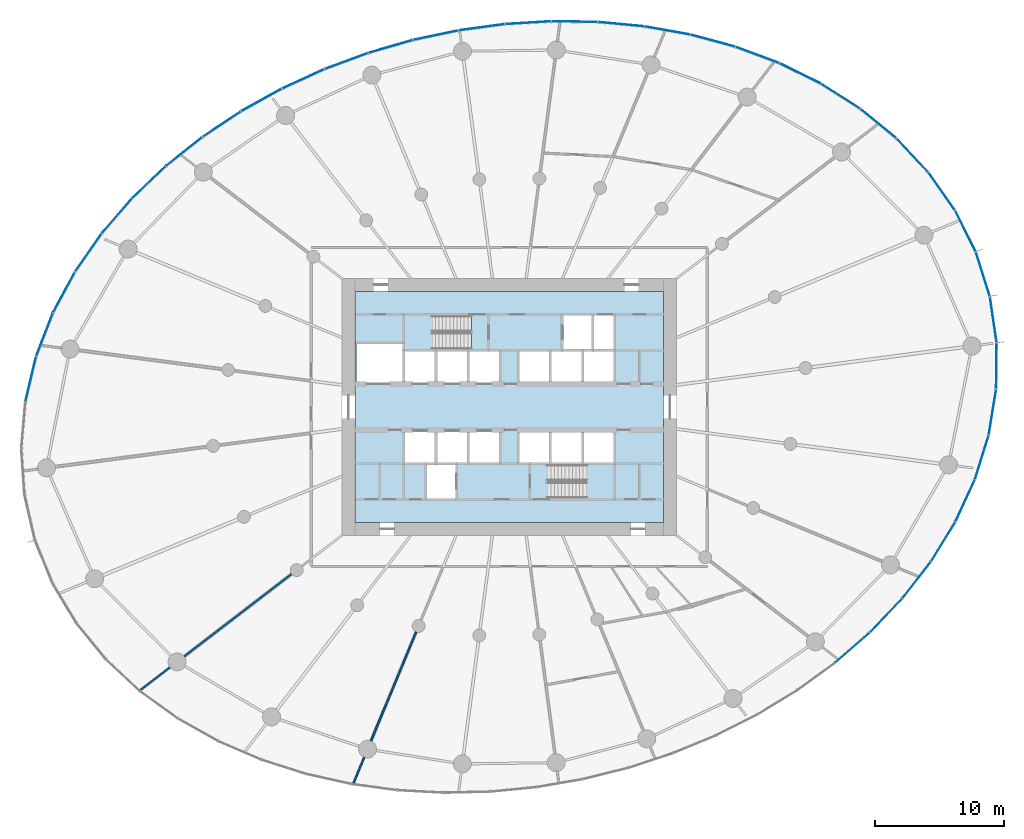
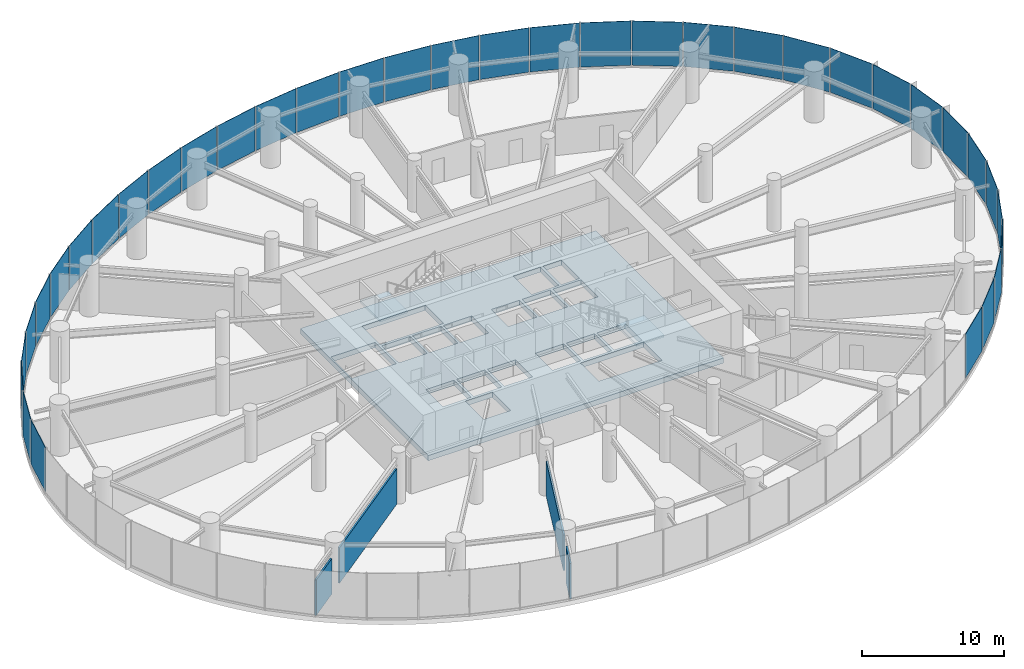
# One storey, part 10 of 18: 36 plates, 4 walls, 3 slabs, 9 elements without a shape of their own.
"""IFC4 building model written with IfcOpenShell, lengths in metres."""

from ifc_helpers import new_model, si_unit, direction, frame, frame_2d, origin, origin_2d, place, context, subcontext, project, spatial, line, indexed_curve, rectangle, outline, extrude, source, transform, mapped, material, layer, layer_set, type_object, element, aggregate, save


model = new_model("IFC4")

# Units and contexts
model_context = context("Model", 3, precision=1e-05, world=origin(), true_north=direction((0.0, 1.0)))
body_context = subcontext(model_context, "Body", "Model", "MODEL_VIEW")
ifc_project = project(units=[si_unit("LENGTHUNIT", "METRE"), si_unit("AREAUNIT", "SQUARE_METRE"), si_unit("VOLUMEUNIT", "CUBIC_METRE"), si_unit("PLANEANGLEUNIT", "RADIAN"), si_unit("MASSUNIT", "GRAM", prefix="KILO")], contexts=[model_context])

# Site, building, storey
site_placement = place(None, origin())
site = spatial("IfcSite", under=ifc_project, at=site_placement, CompositionType="ELEMENT")
building_placement = place(site_placement, origin())
building = spatial("IfcBuilding", under=site, at=building_placement, Name="Spindrift Exchange Tower", CompositionType="ELEMENT")
storey_placement = place(building_placement, frame((0.0, 0.0, 62.199951171875)))
storey = spatial("IfcBuildingStorey", under=building, at=storey_placement, Name="L14", CompositionType="ELEMENT", Elevation=62.199951171875)

# Slab
ifc_material_1 = material(Name="Concrete 50 MPa", Category="concrete")
ifc_layer_1 = layer(ifc_material_1, 0.449951171875)
ifc_layer_set_1 = layer_set([ifc_layer_1], Name="SL-CORE-FLOOR-450")
slab_type_1 = type_object("IfcSlabType", Name="SL-CORE-FLOOR-450", PredefinedType="FLOOR", material=ifc_layer_set_1)
slab_1_placement = place(storey_placement, frame((0.0, 0.0, -0.449951171875)))
element("IfcSlab", 1, at=slab_1_placement, inside=storey, type_object=slab_type_1, Name="L14 Core floor slab", PredefinedType="FLOOR", context=body_context, shape_type="SweptSolid", body=[
    extrude(outline(indexed_curve([(40.0, 39.0), (40.0, 57.0), (64.0, 57.0), (64.0, 39.0)], segments=[line(1, 2, 3, 4, 1)], self_intersect=False), holes=[indexed_curve([(47.800048828125, 43.5), (45.60009765625, 43.5), (45.60009765625, 40.89990234375), (47.800048828125, 40.89990234375)], segments=[line(1, 2, 3, 4, 1)], self_intersect=False), indexed_curve([(46.199951171875, 46.10009765625), (43.89990234375, 46.10009765625), (43.89990234375, 43.699951171875), (46.199951171875, 43.699951171875)], segments=[line(1, 2, 3, 4, 1)], self_intersect=False), indexed_curve([(48.699951171875, 46.10009765625), (46.39990234375, 46.10009765625), (46.39990234375, 43.699951171875), (48.699951171875, 43.699951171875)], segments=[line(1, 2, 3, 4, 1)], self_intersect=False), indexed_curve([(51.199951171875, 46.10009765625), (48.89990234375, 46.10009765625), (48.89990234375, 43.699951171875), (51.199951171875, 43.699951171875)], segments=[line(1, 2, 3, 4, 1)], self_intersect=False), indexed_curve([(46.199951171875, 52.300048828125), (43.89990234375, 52.300048828125), (43.89990234375, 49.89990234375), (46.199951171875, 49.89990234375)], segments=[line(1, 2, 3, 4, 1)], self_intersect=False), indexed_curve([(48.699951171875, 52.300048828125), (46.39990234375, 52.300048828125), (46.39990234375, 49.89990234375), (48.699951171875, 49.89990234375)], segments=[line(1, 2, 3, 4, 1)], self_intersect=False), indexed_curve([(51.199951171875, 52.300048828125), (48.89990234375, 52.300048828125), (48.89990234375, 49.89990234375), (51.199951171875, 49.89990234375)], segments=[line(1, 2, 3, 4, 1)], self_intersect=False), indexed_curve([(43.699951171875, 49.89990234375), (43.699951171875, 52.89990234375), (40.10009765625, 52.89990234375), (40.10009765625, 49.89990234375)], segments=[line(1, 2, 3, 4, 1)], self_intersect=False), indexed_curve([(49.0439453125, 55.093994140625), (43.906005859375, 55.093994140625), (43.906005859375, 52.506103515625), (49.0439453125, 52.506103515625)], segments=[line(1, 2, 3, 4, 1)], self_intersect=False), indexed_curve([(60.093994140625, 40.906005859375), (60.093994140625, 43.493896484375), (54.9560546875, 43.493896484375), (54.9560546875, 40.906005859375)], segments=[line(1, 2, 3, 4, 1)], self_intersect=False), indexed_curve([(55.10009765625, 46.10009765625), (52.800048828125, 46.10009765625), (52.800048828125, 43.699951171875), (55.10009765625, 43.699951171875)], segments=[line(1, 2, 3, 4, 1)], self_intersect=False), indexed_curve([(57.60009765625, 46.10009765625), (55.300048828125, 46.10009765625), (55.300048828125, 43.699951171875), (57.60009765625, 43.699951171875)], segments=[line(1, 2, 3, 4, 1)], self_intersect=False), indexed_curve([(60.10009765625, 46.10009765625), (57.800048828125, 46.10009765625), (57.800048828125, 43.699951171875), (60.10009765625, 43.699951171875)], segments=[line(1, 2, 3, 4, 1)], self_intersect=False), indexed_curve([(55.10009765625, 52.300048828125), (52.800048828125, 52.300048828125), (52.800048828125, 49.89990234375), (55.10009765625, 49.89990234375)], segments=[line(1, 2, 3, 4, 1)], self_intersect=False), indexed_curve([(57.60009765625, 52.300048828125), (55.300048828125, 52.300048828125), (55.300048828125, 49.89990234375), (57.60009765625, 49.89990234375)], segments=[line(1, 2, 3, 4, 1)], self_intersect=False), indexed_curve([(60.10009765625, 52.300048828125), (57.800048828125, 52.300048828125), (57.800048828125, 49.89990234375), (60.10009765625, 49.89990234375)], segments=[line(1, 2, 3, 4, 1)], self_intersect=False), indexed_curve([(58.39990234375, 52.5), (58.39990234375, 55.10009765625), (56.199951171875, 55.10009765625), (56.199951171875, 52.5)], segments=[line(1, 2, 3, 4, 1)], self_intersect=False), indexed_curve([(60.10009765625, 52.5), (60.10009765625, 55.10009765625), (58.60009765625, 55.10009765625), (58.60009765625, 52.5)], segments=[line(1, 2, 3, 4, 1)], self_intersect=False)]), origin(), (0.0, 0.0, 1.0), 0.449951171875),
])

# Stair, slab
stair_type = type_object("IfcStairType", Name="ST-1250-R183", PredefinedType="HALF_TURN_STAIR", material=ifc_material_1)
stair_1_placement = place(storey_placement, origin())
stair_1 = element("IfcStair", 2, at=stair_1_placement, inside=storey, type_object=stair_type, Name="L14 Exit stair ST1", PredefinedType="HALF_TURN_STAIR")
ifc_layer_2 = layer(ifc_material_1, 0.199951171875)
ifc_layer_set_2 = layer_set([ifc_layer_2], Name="SL-LANDING")
slab_type_2 = type_object("IfcSlabType", Name="SL-LANDING", PredefinedType="LANDING", material=ifc_layer_set_2)
slab_2_placement = place(storey_placement, frame((0.0, 0.0, 2.0)))
slab_2 = element("IfcSlab", 3, at=slab_2_placement, type_object=slab_type_2, Name="ST1 landing 1", PredefinedType="LANDING", context=body_context, shape_type="SweptSolid", body=[
    extrude(outline(indexed_curve([(46.050048828125, 52.39990234375), (43.800048828125, 52.39990234375), (43.800048828125, 55.199951171875), (46.050048828125, 55.199951171875)], segments=[line(1, 2, 3, 4, 1)], self_intersect=False)), origin(), (0.0, 0.0, 1.0), 0.199951171875),
])
aggregate(stair_1, [slab_2])

stair_2_placement = place(storey_placement, origin())
stair_2 = element("IfcStair", 4, at=stair_2_placement, inside=storey, type_object=stair_type, Name="L14 Exit stair ST2", PredefinedType="HALF_TURN_STAIR")
slab_3_placement = place(storey_placement, frame((0.0, 0.0, 2.0)))
slab_3 = element("IfcSlab", 5, at=slab_3_placement, type_object=slab_type_2, Name="ST2 landing 1", PredefinedType="LANDING", context=body_context, shape_type="SweptSolid", body=[
    extrude(outline(indexed_curve([(57.949951171875, 43.60009765625), (60.199951171875, 43.60009765625), (60.199951171875, 40.800048828125), (57.949951171875, 40.800048828125)], segments=[line(1, 2, 3, 4, 1)], self_intersect=False)), origin(), (0.0, 0.0, 1.0), 0.199951171875),
])
aggregate(stair_2, [slab_3])

# Curtain wall, plate
ifc_material_2 = material(Name="Fritted laminated glass with bronze frame", Category="glass")
ifc_layer_3 = layer(ifc_material_2, 0.199951171875)
ifc_layer_set_3 = layer_set([ifc_layer_3], Name="ZONE 1 BRONZE FRITTED WALL")
curtain_wall_type = type_object("IfcCurtainWallType", Name="ZONE 1 BRONZE FRITTED WALL", PredefinedType="NOTDEFINED", material=ifc_layer_set_3)
curtain_wall_1_placement = place(storey_placement, origin())
curtain_wall_1 = element("IfcCurtainWall", 6, at=curtain_wall_1_placement, inside=storey, type_object=curtain_wall_type, Name="L14 Zone 1 Bronze Fritted Wall run 1", PredefinedType="NOTDEFINED")
ifc_material_3 = material(Name="Bronze fritted laminated glass, dense frit", Category="glass")
ifc_layer_4 = layer(ifc_material_3, 0.035888671875)
ifc_layer_set_4 = layer_set([ifc_layer_4], Name="ZONE 1 BRONZE FRITTED WALL PANEL DENSE FRIT 420")
plate_type_1 = type_object("IfcPlateType", Name="ZONE 1 BRONZE FRITTED WALL PANEL DENSE FRIT 420", PredefinedType="CURTAIN_PANEL", material=ifc_layer_set_4)
shared_shape_1 = source(origin(), body_context, "Body", "SweptSolid", [
    extrude(rectangle(XDim=3.544677734375, YDim=0.035888671875, at=origin_2d()), origin(), (0.0, 0.0, 1.0), 3.800048828125),
])
plate_1_placement = place(storey_placement, frame((87.473388671875, 61.67529296875, 0.14990234375), z_axis=(0.0, 0.0, 1.0), x_axis=(-0.446561711748, 0.894752836039, 0.0)))
plate_1 = element("IfcPlate", 7, at=plate_1_placement, type_object=plate_type_1, Name="L14 panel CW-1.2", PredefinedType="CURTAIN_PANEL", context=body_context, shape_type="MappedRepresentation", body=[
    mapped(shared_shape_1, transform((0.0, 0.0, 0.0), scale=1.0)),
])

curtain_wall_2_placement = place(storey_placement, origin())
curtain_wall_2 = element("IfcCurtainWall", 8, at=curtain_wall_2_placement, inside=storey, type_object=curtain_wall_type, Name="L14 Zone 1 Bronze Fritted Wall run 10", PredefinedType="NOTDEFINED")
plate_2_placement = place(storey_placement, frame((89.883056640625, 51.19970703125, 0.14990234375), z_axis=(0.0, 0.0, 1.0), x_axis=(0.010703899895, 0.999942711623, 0.0)))
plate_2 = element("IfcPlate", 9, at=plate_2_placement, type_object=plate_type_1, Name="L14 panel CW-1.58", PredefinedType="CURTAIN_PANEL", context=body_context, shape_type="MappedRepresentation", body=[
    mapped(shared_shape_1, transform((0.0, 0.0, 0.0), scale=1.0)),
])

# Plate
ifc_layer_5 = layer(ifc_material_3, 0.035888671875)
ifc_layer_set_5 = layer_set([ifc_layer_5], Name="ZONE 1 BRONZE FRITTED WALL PANEL DENSE FRIT 180")
plate_type_2 = type_object("IfcPlateType", Name="ZONE 1 BRONZE FRITTED WALL PANEL DENSE FRIT 180", PredefinedType="CURTAIN_PANEL", material=ifc_layer_set_5)
shared_shape_2 = source(origin(), body_context, "Body", "SweptSolid", [
    extrude(rectangle(XDim=3.54541015625, YDim=0.035888671875, at=origin_2d()), origin(), (0.0, 0.0, 1.0), 3.800048828125),
])
plate_3_placement = place(storey_placement, frame((83.336181640625, 67.58203125, 0.14990234375), z_axis=(0.0, 0.0, 1.0), x_axis=(-0.684753189587, 0.728775047151, 0.0)))
plate_3 = element("IfcPlate", 10, at=plate_3_placement, type_object=plate_type_2, Name="L14 panel CW-1.4", PredefinedType="CURTAIN_PANEL", context=body_context, shape_type="MappedRepresentation", body=[
    mapped(shared_shape_2, transform((0.0, 0.0, 0.0), scale=1.0)),
])

shared_shape_3 = source(origin(), body_context, "Body", "SweptSolid", [
    extrude(rectangle(XDim=3.5458984375, YDim=0.035888671875, at=origin_2d()), origin(), (0.0, 0.0, 1.0), 3.800048828125),
])
plate_4_placement = place(storey_placement, frame((87.444091796875, 40.701904296875, 0.14990234375), z_axis=(0.0, 0.0, 1.0), x_axis=(0.418883211105, 0.908040117756, 0.0)))
plate_4 = element("IfcPlate", 11, at=plate_4_placement, type_object=plate_type_2, Name="L14 panel CW-1.55", PredefinedType="CURTAIN_PANEL", context=body_context, shape_type="MappedRepresentation", body=[
    mapped(shared_shape_3, transform((0.0, 0.0, 0.0), scale=1.0)),
])

# Curtain wall, plates
curtain_wall_3_placement = place(storey_placement, origin())
curtain_wall_3 = element("IfcCurtainWall", 12, at=curtain_wall_3_placement, inside=storey, type_object=curtain_wall_type, Name="L14 Zone 1 Bronze Fritted Wall run 9", PredefinedType="NOTDEFINED")
ifc_layer_6 = layer(ifc_material_3, 0.035888671875)
ifc_layer_set_6 = layer_set([ifc_layer_6], Name="ZONE 1 BRONZE FRITTED WALL PANEL DENSE FRIT 300")
plate_type_3 = type_object("IfcPlateType", Name="ZONE 1 BRONZE FRITTED WALL PANEL DENSE FRIT 300", PredefinedType="CURTAIN_PANEL", material=ifc_layer_set_6)
shared_shape_4 = source(origin(), body_context, "Body", "SweptSolid", [
    extrude(rectangle(XDim=3.54638671875, YDim=0.035888671875, at=origin_2d()), origin(), (0.0, 0.0, 1.0), 3.800048828125),
])
plate_5_placement = place(storey_placement, frame((83.67138671875, 34.53564453125, 0.14990234375), z_axis=(0.0, 0.0, 1.0), x_axis=(0.613881596815, 0.789398115713, 0.0)))
plate_5 = element("IfcPlate", 13, at=plate_5_placement, type_object=plate_type_3, Name="L14 panel CW-1.53", PredefinedType="CURTAIN_PANEL", context=body_context, shape_type="MappedRepresentation", body=[
    mapped(shared_shape_4, transform((0.0, 0.0, 0.0), scale=1.0)),
])
plate_6_placement = place(storey_placement, frame((85.734619140625, 37.51123046875, 0.14990234375), z_axis=(0.0, 0.0, 1.0), x_axis=(0.524002257857, 0.851716874179, 0.0)))
plate_6 = element("IfcPlate", 14, at=plate_6_placement, type_object=plate_type_3, Name="L14 panel CW-1.54", PredefinedType="CURTAIN_PANEL", context=body_context, shape_type="MappedRepresentation", body=[
    mapped(shared_shape_4, transform((0.0, 0.0, 0.0), scale=1.0)),
])

curtain_wall_4_placement = place(storey_placement, origin())
curtain_wall_4 = element("IfcCurtainWall", 15, at=curtain_wall_4_placement, inside=storey, type_object=curtain_wall_type, Name="L14 Zone 1 Bronze Fritted Wall run 2", PredefinedType="NOTDEFINED")
shared_shape_5 = source(origin(), body_context, "Body", "SweptSolid", [
    extrude(rectangle(XDim=3.546875, YDim=0.035888671875, at=origin_2d()), origin(), (0.0, 0.0, 1.0), 3.800048828125),
])
plate_7_placement = place(storey_placement, frame((71.27880859375, 75.384521484375, 0.14990234375), z_axis=(0.0, 0.0, 1.0), x_axis=(-0.936973177473, 0.349401294641, 0.0)))
plate_7 = element("IfcPlate", 16, at=plate_7_placement, type_object=plate_type_3, Name="L14 panel CW-1.8", PredefinedType="CURTAIN_PANEL", context=body_context, shape_type="MappedRepresentation", body=[
    mapped(shared_shape_5, transform((0.0, 0.0, 0.0), scale=1.0)),
])
shared_shape_6 = source(origin(), body_context, "Body", "SweptSolid", [
    extrude(rectangle(XDim=3.547119140625, YDim=0.035888671875, at=origin_2d()), origin(), (0.0, 0.0, 1.0), 3.800048828125),
])
plate_8_placement = place(storey_placement, frame((64.292724609375, 77.28125, 0.14990234375), z_axis=(0.0, 0.0, 1.0), x_axis=(-0.98450195566, 0.175373599217, 0.0)))
plate_8 = element("IfcPlate", 17, at=plate_8_placement, type_object=plate_type_1, Name="L14 panel CW-1.10", PredefinedType="CURTAIN_PANEL", context=body_context, shape_type="MappedRepresentation", body=[
    mapped(shared_shape_6, transform((0.0, 0.0, 0.0), scale=1.0)),
])

# Curtain wall, plate
curtain_wall_5_placement = place(storey_placement, origin())
curtain_wall_5 = element("IfcCurtainWall", 18, at=curtain_wall_5_placement, inside=storey, type_object=curtain_wall_type, Name="L14 Zone 1 Bronze Fritted Wall run 4", PredefinedType="NOTDEFINED")
plate_9_placement = place(storey_placement, frame((26.7060546875, 67.869384765625, 0.14990234375), z_axis=(0.0, 0.0, 1.0), x_axis=(-0.782903594751, -0.622143039281, 0.0)))
plate_9 = element("IfcPlate", 19, at=plate_9_placement, type_object=plate_type_1, Name="L14 panel CW-1.21", PredefinedType="CURTAIN_PANEL", context=body_context, shape_type="MappedRepresentation", body=[
    mapped(shared_shape_6, transform((0.0, 0.0, 0.0), scale=1.0)),
])

curtain_wall_6_placement = place(storey_placement, origin())
curtain_wall_6 = element("IfcCurtainWall", 20, at=curtain_wall_6_placement, inside=storey, type_object=curtain_wall_type, Name="L14 Zone 1 Bronze Fritted Wall run 3", PredefinedType="NOTDEFINED")
shared_shape_7 = source(origin(), body_context, "Body", "SweptSolid", [
    extrude(rectangle(XDim=3.54736328125, YDim=0.035888671875, at=origin_2d()), origin(), (0.0, 0.0, 1.0), 3.800048828125),
])
plate_10_placement = place(storey_placement, frame((49.85107421875, 77.5302734375, 0.14990234375), z_axis=(0.0, 0.0, 1.0), x_axis=(-0.990923939052, -0.134423759109, 0.0)))
plate_10 = element("IfcPlate", 21, at=plate_10_placement, type_object=plate_type_3, Name="L14 panel CW-1.14", PredefinedType="CURTAIN_PANEL", context=body_context, shape_type="MappedRepresentation", body=[
    mapped(shared_shape_7, transform((0.0, 0.0, 0.0), scale=1.0)),
])

# Plate
plate_11_placement = place(storey_placement, frame((32.732421875, 71.885498046875, 0.14990234375), z_axis=(0.0, 0.0, 1.0), x_axis=(-0.874535078577, -0.484962262797, 0.0)))
plate_11 = element("IfcPlate", 22, at=plate_11_placement, type_object=plate_type_3, Name="L14 panel CW-1.19", PredefinedType="CURTAIN_PANEL", context=body_context, shape_type="MappedRepresentation", body=[
    mapped(shared_shape_7, transform((0.0, 0.0, 0.0), scale=1.0)),
])

shared_shape_8 = source(origin(), body_context, "Body", "SweptSolid", [
    extrude(rectangle(XDim=3.54736328125, YDim=0.035888671875, at=origin_2d()), origin(), (0.0, 0.0, 1.0), 3.800048828125),
])
plate_12_placement = place(storey_placement, frame((60.701416015625, 77.769287109375, 0.14990234375), z_axis=(0.0, 0.0, 1.0), x_axis=(-0.995597208258, 0.093734726267, 0.0)))
plate_12 = element("IfcPlate", 23, at=plate_12_placement, type_object=plate_type_2, Name="L14 panel CW-1.11", PredefinedType="CURTAIN_PANEL", context=body_context, shape_type="MappedRepresentation", body=[
    mapped(shared_shape_8, transform((0.0, 0.0, 0.0), scale=1.0)),
])

plate_13_placement = place(storey_placement, frame((57.08251953125, 77.966796875, 0.14990234375), z_axis=(0.0, 0.0, 1.0), x_axis=(-0.999885037542, 0.015162839462, 0.0)))
plate_13 = element("IfcPlate", 24, at=plate_13_placement, type_object=plate_type_2, Name="L14 panel CW-1.12", PredefinedType="CURTAIN_PANEL", context=body_context, shape_type="MappedRepresentation", body=[
    mapped(shared_shape_8, transform((0.0, 0.0, 0.0), scale=1.0)),
])

plate_14_placement = place(storey_placement, frame((53.45849609375, 77.88427734375, 0.14990234375), z_axis=(0.0, 0.0, 1.0), x_axis=(-0.998155729733, -0.060705347382, 0.0)))
plate_14 = element("IfcPlate", 25, at=plate_14_placement, type_object=plate_type_2, Name="L14 panel CW-1.13", PredefinedType="CURTAIN_PANEL", context=body_context, shape_type="MappedRepresentation", body=[
    mapped(shared_shape_8, transform((0.0, 0.0, 0.0), scale=1.0)),
])

plate_15_placement = place(storey_placement, frame((39.318115234375, 74.903564453125, 0.14990234375), z_axis=(0.0, 0.0, 1.0), x_axis=(-0.937916785368, -0.346860351906, 0.0)))
plate_15 = element("IfcPlate", 26, at=plate_15_placement, type_object=plate_type_2, Name="L14 panel CW-1.17", PredefinedType="CURTAIN_PANEL", context=body_context, shape_type="MappedRepresentation", body=[
    mapped(shared_shape_8, transform((0.0, 0.0, 0.0), scale=1.0)),
])

plate_16_placement = place(storey_placement, frame((35.9677734375, 73.519775390625, 0.14990234375), z_axis=(0.0, 0.0, 1.0), x_axis=(-0.909322548534, -0.416091940234, 0.0)))
plate_16 = element("IfcPlate", 27, at=plate_16_placement, type_object=plate_type_2, Name="L14 panel CW-1.18", PredefinedType="CURTAIN_PANEL", context=body_context, shape_type="MappedRepresentation", body=[
    mapped(shared_shape_8, transform((0.0, 0.0, 0.0), scale=1.0)),
])

shared_shape_9 = source(origin(), body_context, "Body", "SweptSolid", [
    extrude(rectangle(XDim=3.54736328125, YDim=0.035888671875, at=origin_2d()), origin(), (0.0, 0.0, 1.0), 3.800048828125),
])
plate_17_placement = place(storey_placement, frame((46.279296875, 76.912109375, 0.14990234375), z_axis=(0.0, 0.0, 1.0), x_axis=(-0.97846757756, -0.206400580583, 0.0)))
plate_17 = element("IfcPlate", 28, at=plate_17_placement, type_object=plate_type_1, Name="L14 panel CW-1.15", PredefinedType="CURTAIN_PANEL", context=body_context, shape_type="MappedRepresentation", body=[
    mapped(shared_shape_9, transform((0.0, 0.0, 0.0), scale=1.0)),
])

shared_shape_10 = source(origin(), body_context, "Body", "SweptSolid", [
    extrude(rectangle(XDim=3.547119140625, YDim=0.035888671875, at=origin_2d()), origin(), (0.0, 0.0, 1.0), 3.800048828125),
])
plate_18_placement = place(storey_placement, frame((67.8291015625, 76.49072265625, 0.14990234375), z_axis=(0.0, 0.0, 1.0), x_axis=(-0.965460808566, 0.260548320133, 0.0)))
plate_18 = element("IfcPlate", 29, at=plate_18_placement, type_object=plate_type_2, Name="L14 panel CW-1.9", PredefinedType="CURTAIN_PANEL", context=body_context, shape_type="MappedRepresentation", body=[
    mapped(shared_shape_10, transform((0.0, 0.0, 0.0), scale=1.0)),
])

plate_19_placement = place(storey_placement, frame((29.63623046875, 70.001953125, 0.14990234375), z_axis=(0.0, 0.0, 1.0), x_axis=(-0.832745413908, -0.553656098689, 0.0)))
plate_19 = element("IfcPlate", 30, at=plate_19_placement, type_object=plate_type_2, Name="L14 panel CW-1.20", PredefinedType="CURTAIN_PANEL", context=body_context, shape_type="MappedRepresentation", body=[
    mapped(shared_shape_10, transform((0.0, 0.0, 0.0), scale=1.0)),
])

plate_20_placement = place(storey_placement, frame((78.68701171875, 29.28955078125, 0.14990234375), z_axis=(0.0, 0.0, 1.0), x_axis=(0.754580176137, 0.656207861718, 0.0)))
plate_20 = element("IfcPlate", 31, at=plate_20_placement, type_object=plate_type_2, Name="L14 panel CW-1.51", PredefinedType="CURTAIN_PANEL", context=body_context, shape_type="MappedRepresentation", body=[
    mapped(shared_shape_10, transform((0.0, 0.0, 0.0), scale=1.0)),
])

shared_shape_11 = source(origin(), body_context, "Body", "SweptSolid", [
    extrude(rectangle(XDim=3.546875, YDim=0.035888671875, at=origin_2d()), origin(), (0.0, 0.0, 1.0), 3.800048828125),
])
plate_21_placement = place(storey_placement, frame((23.973876953125, 65.48974609375, 0.14990234375), z_axis=(0.0, 0.0, 1.0), x_axis=(-0.723711920293, -0.690102207232, 0.0)))
plate_21 = element("IfcPlate", 32, at=plate_21_placement, type_object=plate_type_1, Name="L14 panel CW-1.22", PredefinedType="CURTAIN_PANEL", context=body_context, shape_type="MappedRepresentation", body=[
    mapped(shared_shape_11, transform((0.0, 0.0, 0.0), scale=1.0)),
])

plate_22_placement = place(storey_placement, frame((81.306884765625, 31.7919921875, 0.14990234375), z_axis=(0.0, 0.0, 1.0), x_axis=(0.690129995266, 0.723685421737, 0.0)))
plate_22 = element("IfcPlate", 33, at=plate_22_placement, type_object=plate_type_1, Name="L14 panel CW-1.52", PredefinedType="CURTAIN_PANEL", context=body_context, shape_type="MappedRepresentation", body=[
    mapped(shared_shape_11, transform((0.0, 0.0, 0.0), scale=1.0)),
])

aggregate(curtain_wall_3, [plate_20, plate_22, plate_5, plate_6])

# Curtain wall, plate
curtain_wall_7_placement = place(storey_placement, origin())
curtain_wall_7 = element("IfcCurtainWall", 34, at=curtain_wall_7_placement, inside=storey, type_object=curtain_wall_type, Name="L14 Zone 1 Bronze Fritted Wall run 5", PredefinedType="NOTDEFINED")
shared_shape_12 = source(origin(), body_context, "Body", "SweptSolid", [
    extrude(rectangle(XDim=3.545654296875, YDim=0.035888671875, at=origin_2d()), origin(), (0.0, 0.0, 1.0), 3.800048828125),
])
plate_23_placement = place(storey_placement, frame((15.8515625, 53.630615234375, 0.14990234375), z_axis=(0.0, 0.0, 1.0), x_axis=(-0.360208479294, -0.932871830127, 0.0)))
plate_23 = element("IfcPlate", 35, at=plate_23_placement, type_object=plate_type_2, Name="L14 panel CW-1.26", PredefinedType="CURTAIN_PANEL", context=body_context, shape_type="MappedRepresentation", body=[
    mapped(shared_shape_12, transform((0.0, 0.0, 0.0), scale=1.0)),
])

# Plate
shared_shape_13 = source(origin(), body_context, "Body", "SweptSolid", [
    extrude(rectangle(XDim=3.54443359375, YDim=0.035888671875, at=origin_2d()), origin(), (0.0, 0.0, 1.0), 3.800048828125),
])
plate_24_placement = place(storey_placement, frame((88.828125, 58.325439453125, 0.14990234375), z_axis=(0.0, 0.0, 1.0), x_axis=(-0.301098607806, 0.95359300982, 0.0)))
plate_24 = element("IfcPlate", 36, at=plate_24_placement, type_object=plate_type_3, Name="L14 panel CW-1.1", PredefinedType="CURTAIN_PANEL", context=body_context, shape_type="MappedRepresentation", body=[
    mapped(shared_shape_13, transform((0.0, 0.0, 0.0), scale=1.0)),
])

plate_25_placement = place(storey_placement, frame((89.63818359375, 54.8046875, 0.14990234375), z_axis=(0.0, 0.0, 1.0), x_axis=(-0.145846479375, 0.989307234611, 0.0)))
plate_25 = element("IfcPlate", 37, at=plate_25_placement, type_object=plate_type_3, Name="L14 panel CW-1.59", PredefinedType="CURTAIN_PANEL", context=body_context, shape_type="MappedRepresentation", body=[
    mapped(shared_shape_13, transform((0.0, 0.0, 0.0), scale=1.0)),
])

shared_shape_14 = source(origin(), body_context, "Body", "SweptSolid", [
    extrude(rectangle(XDim=3.5458984375, YDim=0.035888671875, at=origin_2d()), origin(), (0.0, 0.0, 1.0), 3.800048828125),
])
plate_26_placement = place(storey_placement, frame((17.36279296875, 56.918701171875, 0.14990234375), z_axis=(0.0, 0.0, 1.0), x_axis=(-0.473438046127, -0.880827120654, 0.0)))
plate_26 = element("IfcPlate", 38, at=plate_26_placement, type_object=plate_type_1, Name="L14 panel CW-1.25", PredefinedType="CURTAIN_PANEL", context=body_context, shape_type="MappedRepresentation", body=[
    mapped(shared_shape_14, transform((0.0, 0.0, 0.0), scale=1.0)),
])

shared_shape_15 = source(origin(), body_context, "Body", "SweptSolid", [
    extrude(rectangle(XDim=3.54638671875, YDim=0.035888671875, at=origin_2d()), origin(), (0.0, 0.0, 1.0), 3.800048828125),
])
plate_27_placement = place(storey_placement, frame((19.256103515625, 60.004638671875, 0.14990234375), z_axis=(0.0, 0.0, 1.0), x_axis=(-0.570759428418, -0.821117333194, 0.0)))
plate_27 = element("IfcPlate", 39, at=plate_27_placement, type_object=plate_type_2, Name="L14 panel CW-1.24", PredefinedType="CURTAIN_PANEL", context=body_context, shape_type="MappedRepresentation", body=[
    mapped(shared_shape_15, transform((0.0, 0.0, 0.0), scale=1.0)),
])

shared_shape_16 = source(origin(), body_context, "Body", "SweptSolid", [
    extrude(rectangle(XDim=3.546142578125, YDim=0.035888671875, at=origin_2d()), origin(), (0.0, 0.0, 1.0), 3.800048828125),
])
plate_28_placement = place(storey_placement, frame((77.760986328125, 72.1748046875, 0.14990234375), z_axis=(0.0, 0.0, 1.0), x_axis=(-0.843492709419, 0.53714062326, 0.0)))
plate_28 = element("IfcPlate", 40, at=plate_28_placement, type_object=plate_type_3, Name="L14 panel CW-1.6", PredefinedType="CURTAIN_PANEL", context=body_context, shape_type="MappedRepresentation", body=[
    mapped(shared_shape_16, transform((0.0, 0.0, 0.0), scale=1.0)),
])

shared_shape_17 = source(origin(), body_context, "Body", "SweptSolid", [
    extrude(rectangle(XDim=3.5458984375, YDim=0.035888671875, at=origin_2d()), origin(), (0.0, 0.0, 1.0), 3.800048828125),
])
plate_29_placement = place(storey_placement, frame((80.6923828125, 70.052001953125, 0.14990234375), z_axis=(0.0, 0.0, 1.0), x_axis=(-0.773531695165, 0.633757616581, 0.0)))
plate_29 = element("IfcPlate", 41, at=plate_29_placement, type_object=plate_type_3, Name="L14 panel CW-1.5", PredefinedType="CURTAIN_PANEL", context=body_context, shape_type="MappedRepresentation", body=[
    mapped(shared_shape_17, transform((0.0, 0.0, 0.0), scale=1.0)),
])

shared_shape_18 = source(origin(), body_context, "Body", "SweptSolid", [
    extrude(rectangle(XDim=3.54541015625, YDim=0.035888671875, at=origin_2d()), origin(), (0.0, 0.0, 1.0), 3.800048828125),
])
plate_30_placement = place(storey_placement, frame((88.742919921875, 44.07861328125, 0.14990234375), z_axis=(0.0, 0.0, 1.0), x_axis=(0.297481520027, 0.954727576454, 0.0)))
plate_30 = element("IfcPlate", 42, at=plate_30_placement, type_object=plate_type_1, Name="L14 panel CW-1.56", PredefinedType="CURTAIN_PANEL", context=body_context, shape_type="MappedRepresentation", body=[
    mapped(shared_shape_18, transform((0.0, 0.0, 0.0), scale=1.0)),
])

shared_shape_19 = source(origin(), body_context, "Body", "SweptSolid", [
    extrude(rectangle(XDim=3.547607421875, YDim=0.035888671875, at=origin_2d()), origin(), (0.0, 0.0, 1.0), 3.800048828125),
])
plate_31_placement = place(storey_placement, frame((42.761962890625, 76.03515625, 0.14990234375), z_axis=(0.0, 0.0, 1.0), x_axis=(-0.960838664679, -0.27710839117, 0.0)))
plate_31 = element("IfcPlate", 43, at=plate_31_placement, type_object=plate_type_2, Name="L14 panel CW-1.16", PredefinedType="CURTAIN_PANEL", context=body_context, shape_type="MappedRepresentation", body=[
    mapped(shared_shape_19, transform((0.0, 0.0, 0.0), scale=1.0)),
])

aggregate(curtain_wall_6, [plate_14, plate_10, plate_17, plate_31, plate_15, plate_16])

shared_shape_20 = source(origin(), body_context, "Body", "SweptSolid", [
    extrude(rectangle(XDim=3.546630859375, YDim=0.035888671875, at=origin_2d()), origin(), (0.0, 0.0, 1.0), 3.800048828125),
])
plate_32_placement = place(storey_placement, frame((74.604736328125, 73.949951171875, 0.14990234375), z_axis=(0.0, 0.0, 1.0), x_axis=(-0.897118851178, 0.441789278798, 0.0)))
plate_32 = element("IfcPlate", 44, at=plate_32_placement, type_object=plate_type_3, Name="L14 panel CW-1.7", PredefinedType="CURTAIN_PANEL", context=body_context, shape_type="MappedRepresentation", body=[
    mapped(shared_shape_20, transform((0.0, 0.0, 0.0), scale=1.0)),
])

aggregate(curtain_wall_4, [plate_32, plate_7, plate_18, plate_8, plate_12, plate_13])

plate_33_placement = place(storey_placement, frame((21.476318359375, 62.865966796875, 0.14990234375), z_axis=(0.0, 0.0, 1.0), x_axis=(-0.65360291141, -0.756837653791, 0.0)))
plate_33 = element("IfcPlate", 45, at=plate_33_placement, type_object=plate_type_3, Name="L14 panel CW-1.23", PredefinedType="CURTAIN_PANEL", context=body_context, shape_type="MappedRepresentation", body=[
    mapped(shared_shape_20, transform((0.0, 0.0, 0.0), scale=1.0)),
])

aggregate(curtain_wall_5, [plate_11, plate_19, plate_9, plate_21, plate_33, plate_27])

shared_shape_21 = source(origin(), body_context, "Body", "SweptSolid", [
    extrude(rectangle(XDim=3.545166015625, YDim=0.035888671875, at=origin_2d()), origin(), (0.0, 0.0, 1.0), 3.800048828125),
])
plate_34_placement = place(storey_placement, frame((14.780029296875, 50.176025390625, 0.14990234375), z_axis=(0.0, 0.0, 1.0), x_axis=(-0.230802111627, -0.973000711854, 0.0)))
plate_34 = element("IfcPlate", 46, at=plate_34_placement, type_object=plate_type_1, Name="L14 panel CW-1.27", PredefinedType="CURTAIN_PANEL", context=body_context, shape_type="MappedRepresentation", body=[
    mapped(shared_shape_21, transform((0.0, 0.0, 0.0), scale=1.0)),
])

aggregate(curtain_wall_7, [plate_26, plate_23, plate_34])

shared_shape_22 = source(origin(), body_context, "Body", "SweptSolid", [
    extrude(rectangle(XDim=3.544921875, YDim=0.035888671875, at=origin_2d()), origin(), (0.0, 0.0, 1.0), 3.800048828125),
])
plate_35_placement = place(storey_placement, frame((85.62060546875, 64.77880859375, 0.14990234375), z_axis=(0.0, 0.0, 1.0), x_axis=(-0.575606259772, 0.817726992163, 0.0)))
plate_35 = element("IfcPlate", 47, at=plate_35_placement, type_object=plate_type_3, Name="L14 panel CW-1.3", PredefinedType="CURTAIN_PANEL", context=body_context, shape_type="MappedRepresentation", body=[
    mapped(shared_shape_22, transform((0.0, 0.0, 0.0), scale=1.0)),
])

aggregate(curtain_wall_1, [plate_24, plate_1, plate_35, plate_3, plate_29, plate_28])

shared_shape_23 = source(origin(), body_context, "Body", "SweptSolid", [
    extrude(rectangle(XDim=3.545166015625, YDim=0.035888671875, at=origin_2d()), origin(), (0.0, 0.0, 1.0), 3.800048828125),
])
plate_36_placement = place(storey_placement, frame((89.572998046875, 47.598388671875, 0.14990234375), z_axis=(0.0, 0.0, 1.0), x_axis=(0.160439374506, 0.987045696565, 0.0)))
plate_36 = element("IfcPlate", 48, at=plate_36_placement, type_object=plate_type_2, Name="L14 panel CW-1.57", PredefinedType="CURTAIN_PANEL", context=body_context, shape_type="MappedRepresentation", body=[
    mapped(shared_shape_23, transform((0.0, 0.0, 0.0), scale=1.0)),
])

aggregate(curtain_wall_2, [plate_4, plate_30, plate_36, plate_2, plate_25])

# Walls
ifc_material_4 = material(Name="Fire-rated plasterboard partition", Category="gypsum")
ifc_layer_7 = layer(ifc_material_4, 0.139892578125)
ifc_layer_set_7 = layer_set([ifc_layer_7], Name="W-PART-140")
wall_type = type_object("IfcWallType", Name="W-PART-140", PredefinedType="PARTITIONING", material=ifc_layer_set_7)
wall_1_placement = place(storey_placement, frame((35.06494140625, 35.00537109375, 0.0), z_axis=(0.0, 0.0, 1.0), x_axis=(-0.793353660174, -0.608761012129, 0.0)))
element("IfcWall", 49, at=wall_1_placement, inside=storey, type_object=wall_type, Name="L14 Partition wall 67", PredefinedType="PARTITIONING", context=body_context, shape_type="SweptSolid", body=[
    extrude(rectangle(XDim=10.5146484375, YDim=0.139892578125, at=frame_2d((5.25732421875, 0.0))), origin(), (0.0, 0.0, 1.0), 3.050048828125),
])
wall_2_placement = place(storey_placement, frame((44.752197265625, 30.502197265625, 0.0), z_axis=(0.0, 0.0, 1.0), x_axis=(-0.382672728165, -0.923883966264, 0.0)))
element("IfcWall", 50, at=wall_2_placement, inside=storey, type_object=wall_type, Name="L14 Partition wall 71", PredefinedType="PARTITIONING", context=body_context, shape_type="SweptSolid", body=[
    extrude(rectangle(XDim=9.15966796875, YDim=0.139892578125, at=frame_2d((4.579833984375, 0.0))), origin(), (0.0, 0.0, 1.0), 3.050048828125),
])
wall_3_placement = place(storey_placement, frame((25.605712890625, 27.746826171875, 0.0), z_axis=(0.0, 0.0, 1.0), x_axis=(-0.793354252031, -0.608760240804, 0.0)))
element("IfcWall", 51, at=wall_3_placement, inside=storey, type_object=wall_type, Name="L14 Partition wall 94", PredefinedType="PARTITIONING", context=body_context, shape_type="SweptSolid", body=[
    extrude(rectangle(XDim=2.86865234375, YDim=0.139892578125, at=frame_2d((1.434326171875, 0.0))), origin(), (0.0, 0.0, 1.0), 3.050048828125),
])
wall_4_placement = place(storey_placement, frame((40.70751953125, 20.7373046875, 0.0), z_axis=(0.0, 0.0, 1.0), x_axis=(-0.382791800522, -0.923834637504, 0.0)))
element("IfcWall", 52, at=wall_4_placement, inside=storey, type_object=wall_type, Name="L14 Partition wall 99", PredefinedType="PARTITIONING", context=body_context, shape_type="SweptSolid", body=[
    extrude(rectangle(XDim=2.139892578125, YDim=0.139892578125, at=frame_2d((1.06982421875, 0.0))), origin(), (0.0, 0.0, 1.0), 3.050048828125),
])

save(model, "model.ifc")
